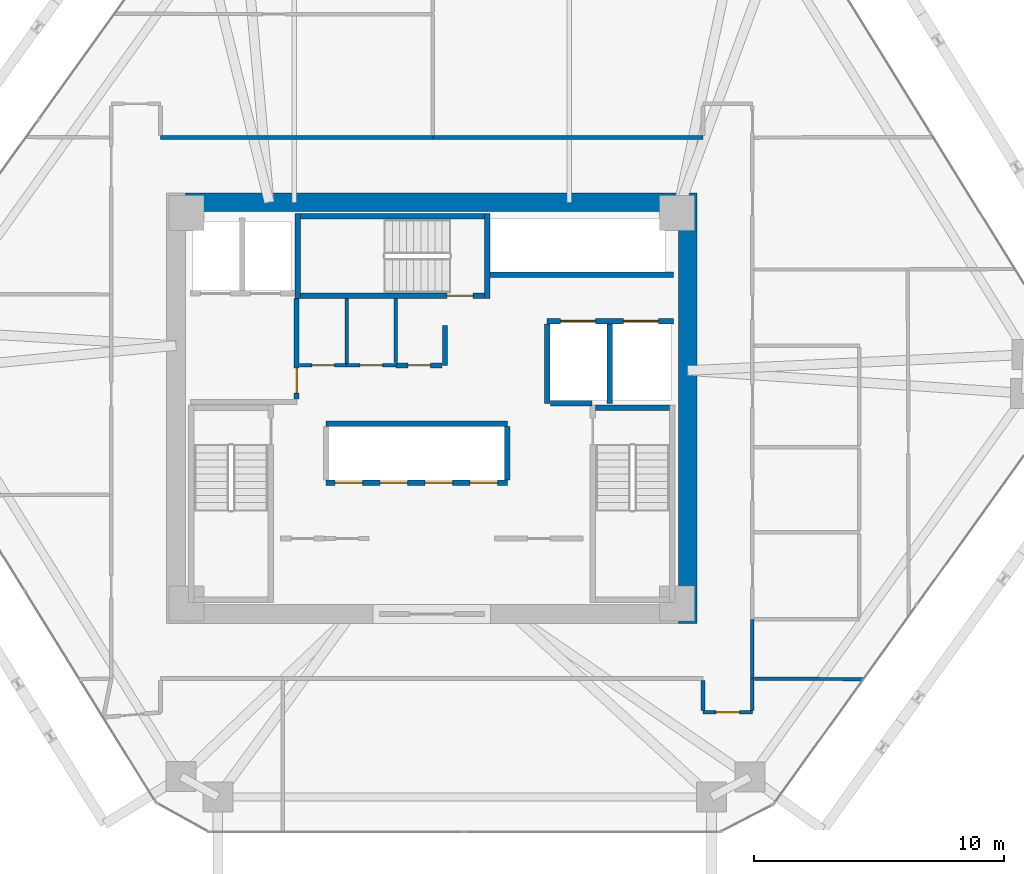
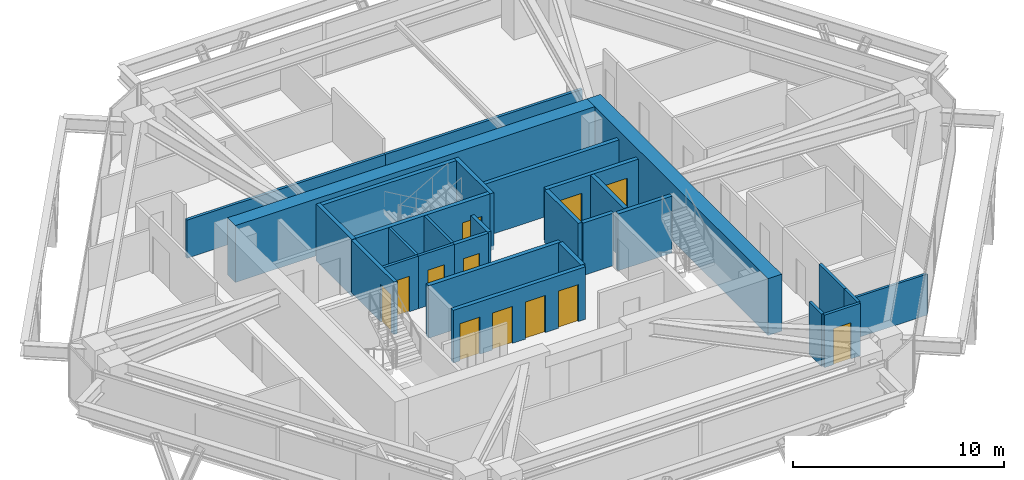
# One storey, part 11 of 13: 29 walls, 12 doors, 12 openings.
"""IFC4 building model written with IfcOpenShell, lengths in metres."""

from ifc_helpers import new_model, si_unit, direction, frame, frame_2d, origin, place, context, subcontext, project, spatial, rectangle, extrude, source, transform, mapped, material, layer, layer_set, type_object, type_shapes, element, fill, save


model = new_model("IFC4")

# Units and contexts
model_context = context("Model", 3, precision=1e-05, world=origin(), true_north=direction((0.0, 1.0)))
body_context = subcontext(model_context, "Body", "Model", "MODEL_VIEW")
ifc_project = project(units=[si_unit("LENGTHUNIT", "METRE"), si_unit("AREAUNIT", "SQUARE_METRE"), si_unit("VOLUMEUNIT", "CUBIC_METRE"), si_unit("PLANEANGLEUNIT", "RADIAN"), si_unit("MASSUNIT", "GRAM", prefix="KILO")], contexts=[model_context])

# Site, building, storey
site_placement = place(None, origin())
site = spatial("IfcSite", under=ifc_project, at=site_placement, CompositionType="ELEMENT")
building_placement = place(site_placement, origin())
building = spatial("IfcBuilding", under=site, at=building_placement, Name="Durnholm Broadcast Tower", CompositionType="ELEMENT")
storey_placement = place(building_placement, frame((0.0, 0.0, 133.800048828125)))
storey = spatial("IfcBuildingStorey", under=building, at=storey_placement, Name="L36", CompositionType="ELEMENT", Elevation=133.800048828125)

# Walls
ifc_material_1 = material(Name="Concrete C70/85", Category="concrete")
ifc_layer_1 = layer(ifc_material_1, 0.75)
ifc_layer_set_1 = layer_set([ifc_layer_1], Name="Concrete C70/85")
wall_type_1 = type_object("IfcWallType", Name="WALL-CW-750", PredefinedType="SHEAR", material=ifc_layer_set_1)
wall_1_placement = place(storey_placement, frame((10.22509765625, -8.60009765625, 0.0), z_axis=(0.0, 0.0, 1.0), x_axis=(0.0, 1.0, 0.0)))
element("IfcWall", 1, at=wall_1_placement, inside=storey, type_object=wall_type_1, Name="L36 central core shear wall CW-EAST", PredefinedType="SHEAR", context=body_context, shape_type="SweptSolid", body=[
    extrude(rectangle(XDim=17.2001953125, YDim=0.75, at=frame_2d((8.60009765625, 0.0))), origin(), (0.0, 0.0, 1.0), 3.300048828125),
])
wall_2_placement = place(storey_placement, frame((-9.85009765625, 8.22509765625, 0.0), z_axis=(0.0, 0.0, 1.0), x_axis=(1.0, 0.0, 0.0)))
element("IfcWall", 2, at=wall_2_placement, inside=storey, type_object=wall_type_1, Name="L36 central core shear wall CW-N", PredefinedType="SHEAR", context=body_context, shape_type="SweptSolid", body=[
    extrude(rectangle(XDim=19.7001953125, YDim=0.75, at=frame_2d((9.85009765625, 0.0))), origin(), (0.0, 0.0, 1.0), 3.300048828125),
])

# Wall, opening, door
ifc_material_2 = material(Name="Fire-Rated Gypsum Shaftwall", Category="concrete")
ifc_layer_2 = layer(ifc_material_2, 0.199951171875)
ifc_layer_set_2 = layer_set([ifc_layer_2], Name="Fire-Rated Gypsum Shaftwall")
wall_type_2 = type_object("IfcWallType", Name="WALL-LOB-200", PredefinedType="SOLIDWALL", material=ifc_layer_set_2)
wall_3_placement = place(storey_placement, frame((-5.39990234375, 0.35400390625, 0.0), z_axis=(0.0, 0.0, 1.0), x_axis=(0.0, 1.0, 0.0)))
wall_3 = element("IfcWall", 3, at=wall_3_placement, inside=storey, type_object=wall_type_2, Name="L36 Fire Service Access Elevator lobby east fire wall", PredefinedType="SOLIDWALL", context=body_context, shape_type="SweptSolid", body=[
    extrude(rectangle(XDim=4.02587890625, YDim=0.199951171875, at=frame_2d((2.012939453125, 0.0))), origin(), (0.0, 0.0, 1.0), 3.044921875),
])
opening_1_placement = place(wall_3_placement, frame((0.24609375, 0.0, 0.0)))
opening_1 = element("IfcOpeningElement", 4, at=opening_1_placement, cuts=wall_3, Name="Opening DL-60L", PredefinedType="OPENING", context=body_context, shape_type="SweptSolid", body=[
    extrude(rectangle(XDim=1.0, YDim=2.14990234375, at=frame_2d((0.5, 1.074951171875))), frame((0.0, 0.10986328125, 0.0), z_axis=(0.0, -1.0, 0.0), x_axis=(1.0, 0.0, 0.0)), (0.0, 0.0, 1.0), 0.219970703125),
])
ifc_material_3 = material(Name="Fire-Rated Timber/Steel Door", Category="steel")
ifc_layer_3 = layer(ifc_material_3, 0.050048828125)
ifc_layer_set_3 = layer_set([ifc_layer_3], Name="Fire-Rated Timber/Steel Door")
door_type_1 = type_object("IfcDoorType", Name="DOOR-LOB-FD60-L", OperationType="NOTDEFINED", PredefinedType="DOOR", material=ifc_layer_set_3)
shared_shape_1 = source(origin(), body_context, "Body", "SweptSolid", [
    extrude(rectangle(XDim=1.0, YDim=2.14990234375, at=frame_2d((0.5, 1.074951171875))), frame((0.0, 0.02490234375, 0.0), z_axis=(0.0, -1.0, 0.0), x_axis=(1.0, 0.0, 0.0)), (0.0, 0.0, 1.0), 0.050048828125),
])
type_shapes(door_type_1, [shared_shape_1])
door_1_placement = place(opening_1_placement, origin())
door_1 = element("IfcDoor", 5, at=door_1_placement, inside=storey, type_object=door_type_1, Name="L36 Fire Service Access Elevator lobby smoke door", OperationType="SINGLE_SWING_LEFT", OverallHeight=2.14990234375, OverallWidth=1.0, PredefinedType="DOOR", context=body_context, shape_type="MappedRepresentation", body=[
    mapped(shared_shape_1, transform((0.0, 0.0, 0.0), x_axis=(1.0, 0.0, 0.0), y_axis=(0.0, 1.0, 0.0), z_axis=(0.0, 0.0, 1.0), scale=1.0)),
])
fill(opening_1, door_1)

# Wall
wall_4_placement = place(storey_placement, frame((0.52001953125, 3.300048828125, 0.0), z_axis=(0.0, 0.0, 1.0), x_axis=(0.0, -1.0, 0.0)))
element("IfcWall", 6, at=wall_4_placement, inside=storey, type_object=wall_type_2, Name="L36 Core Telecom Patch Room corridor partition", PredefinedType="SOLIDWALL", context=body_context, shape_type="SweptSolid", body=[
    extrude(rectangle(XDim=1.590087890625, YDim=0.199951171875, at=frame_2d((0.794921875, 0.0))), origin(), (0.0, 0.0, 1.0), 3.044921875),
])

# Wall, opening, door
wall_5_placement = place(storey_placement, frame((0.416015625, 1.7099609375, 0.0), z_axis=(0.0, 0.0, 1.0), x_axis=(-1.0, 0.0, 0.0)))
wall_5 = element("IfcWall", 7, at=wall_5_placement, inside=storey, type_object=wall_type_2, Name="L36 Core Telecom Patch Room corridor partition", PredefinedType="SOLIDWALL", context=body_context, shape_type="SweptSolid", body=[
    extrude(rectangle(XDim=1.85595703125, YDim=0.199951171875, at=frame_2d((0.927978515625, 0.0))), origin(), (0.0, 0.0, 1.0), 3.044921875),
])
opening_2_placement = place(wall_5_placement, frame((0.47802734375, 0.0, 0.0)))
opening_2 = element("IfcOpeningElement", 8, at=opening_2_placement, cuts=wall_5, Name="Opening DC-60R", PredefinedType="OPENING", context=body_context, shape_type="SweptSolid", body=[
    extrude(rectangle(XDim=0.89990234375, YDim=2.050048828125, at=frame_2d((0.449951171875, 1.02490234375))), frame((0.0, 0.10986328125, 0.0), z_axis=(0.0, -1.0, 0.0), x_axis=(1.0, 0.0, 0.0)), (0.0, 0.0, 1.0), 0.219970703125),
])
ifc_material_4 = material(Name="Fire-Rated Core Service Door", Category="steel")
ifc_layer_4 = layer(ifc_material_4, 0.050048828125)
ifc_layer_set_4 = layer_set([ifc_layer_4], Name="Fire-Rated Core Service Door")
door_type_2 = type_object("IfcDoorType", Name="DOOR-CORE-FD60-R", OperationType="NOTDEFINED", PredefinedType="DOOR", material=ifc_layer_set_4)
shared_shape_2 = source(origin(), body_context, "Body", "SweptSolid", [
    extrude(rectangle(XDim=0.89990234375, YDim=2.050048828125, at=frame_2d((0.449951171875, 1.02490234375))), frame((0.0, 0.02490234375, 0.0), z_axis=(0.0, -1.0, 0.0), x_axis=(1.0, 0.0, 0.0)), (0.0, 0.0, 1.0), 0.050048828125),
])
type_shapes(door_type_2, [shared_shape_2])
door_2_placement = place(opening_2_placement, origin())
door_2 = element("IfcDoor", 9, at=door_2_placement, inside=storey, type_object=door_type_2, Name="L36 Core Telecom Patch Room entrance door", OperationType="SINGLE_SWING_RIGHT", OverallHeight=2.050048828125, OverallWidth=0.89990234375, PredefinedType="DOOR", context=body_context, shape_type="MappedRepresentation", body=[
    mapped(shared_shape_2, transform((0.0, 0.0, 0.0), x_axis=(1.0, 0.0, 0.0), y_axis=(0.0, 1.0, 0.0), z_axis=(0.0, 0.0, 1.0), scale=1.0)),
])
fill(opening_2, door_2)

# Walls
ifc_material_5 = material(Name="Gypsum Metal Stud Partition", Category="concrete")
ifc_layer_5 = layer(ifc_material_5, 0.135009765625)
ifc_layer_set_5 = layer_set([ifc_layer_5], Name="Gypsum Metal Stud Partition")
wall_type_3 = type_object("IfcWallType", Name="WALL-PART-135", PredefinedType="PARTITIONING", material=ifc_layer_set_5)
wall_6_placement = place(storey_placement, frame((-3.39990234375, 4.375, 0.0), z_axis=(0.0, 0.0, 1.0), x_axis=(0.0, -1.0, 0.0)))
element("IfcWall", 10, at=wall_6_placement, inside=storey, type_object=wall_type_3, Name="L36 room dividing partition 4.5", PredefinedType="PARTITIONING", context=body_context, shape_type="SweptSolid", body=[
    extrude(rectangle(XDim=2.5859375, YDim=0.135009765625, at=frame_2d((1.29296875, 0.0))), origin(), (0.0, 0.0, 1.0), 3.044921875),
])
wall_7_placement = place(storey_placement, frame((-1.43994140625, 4.375, 0.0), z_axis=(0.0, 0.0, 1.0), x_axis=(0.0, -1.0, 0.0)))
element("IfcWall", 11, at=wall_7_placement, inside=storey, type_object=wall_type_3, Name="L36 room dividing partition 5.6", PredefinedType="PARTITIONING", context=body_context, shape_type="SweptSolid", body=[
    extrude(rectangle(XDim=2.56103515625, YDim=0.135009765625, at=frame_2d((1.280517578125, 0.0))), origin(), (0.0, 0.0, 1.0), 3.044921875),
])
wall_8_placement = place(storey_placement, frame((12.888916015625, -10.810302734375, 0.0), z_axis=(0.0, 0.0, 1.0), x_axis=(0.999986140562, -0.005264853658, 0.0)))
element("IfcWall", 12, at=wall_8_placement, inside=storey, type_object=wall_type_3, Name="L36 room dividing partition 14.18", PredefinedType="PARTITIONING", context=body_context, shape_type="SweptSolid", body=[
    extrude(rectangle(XDim=4.35888671875, YDim=0.135009765625, at=frame_2d((2.179443359375, 0.0))), origin(), (0.0, 0.0, 1.0), 2.3798828125),
])

# Wall, opening, door
ifc_material_6 = material(Name="Acoustic Gypsum Stud Partition", Category="concrete")
ifc_layer_6 = layer(ifc_material_6, 0.14990234375)
ifc_layer_set_6 = layer_set([ifc_layer_6], Name="Acoustic Gypsum Stud Partition")
wall_type_4 = type_object("IfcWallType", Name="WALL-PART-150", PredefinedType="PARTITIONING", material=ifc_layer_set_6)
wall_9_placement = place(storey_placement, frame((-3.39990234375, 1.7099609375, 0.0), z_axis=(0.0, 0.0, 1.0), x_axis=(-1.0, 0.0, 0.0)))
wall_9 = element("IfcWall", 13, at=wall_9_placement, inside=storey, type_object=wall_type_4, Name="L36 Core Copy and Print Closet corridor partition", PredefinedType="PARTITIONING", context=body_context, shape_type="SweptSolid", body=[
    extrude(rectangle(XDim=1.89599609375, YDim=0.14990234375, at=frame_2d((0.947998046875, 0.0))), origin(), (0.0, 0.0, 1.0), 3.044921875),
])
opening_3_placement = place(wall_9_placement, frame((0.498046875, 0.0, 0.0)))
opening_3 = element("IfcOpeningElement", 14, at=opening_3_placement, cuts=wall_9, Name="Opening DC-60R", PredefinedType="OPENING", context=body_context, shape_type="SweptSolid", body=[
    extrude(rectangle(XDim=0.89990234375, YDim=2.050048828125, at=frame_2d((0.449951171875, 1.02490234375))), frame((0.0, 0.0849609375, 0.0), z_axis=(0.0, -1.0, 0.0), x_axis=(1.0, 0.0, 0.0)), (0.0, 0.0, 1.0), 0.169921875),
])
door_3_placement = place(opening_3_placement, origin())
door_3 = element("IfcDoor", 15, at=door_3_placement, inside=storey, type_object=door_type_2, Name="L36 Core Copy and Print Closet entrance door", OperationType="SINGLE_SWING_RIGHT", OverallHeight=2.050048828125, OverallWidth=0.89990234375, PredefinedType="DOOR", context=body_context, shape_type="MappedRepresentation", body=[
    mapped(shared_shape_2, transform((0.0, 0.0, 0.0), x_axis=(1.0, 0.0, 0.0), y_axis=(0.0, 1.0, 0.0), z_axis=(0.0, 0.0, 1.0), scale=1.0)),
])
fill(opening_3, door_3)

wall_10_placement = place(storey_placement, frame((-1.43994140625, 1.7099609375, 0.0), z_axis=(0.0, 0.0, 1.0), x_axis=(-1.0, 0.0, 0.0)))
wall_10 = element("IfcWall", 16, at=wall_10_placement, inside=storey, type_object=wall_type_4, Name="L36 Core Janitor Supply Closet corridor partition", PredefinedType="PARTITIONING", context=body_context, shape_type="SweptSolid", body=[
    extrude(rectangle(XDim=1.9599609375, YDim=0.14990234375, at=frame_2d((0.97998046875, 0.0))), origin(), (0.0, 0.0, 1.0), 3.044921875),
])
opening_4_placement = place(wall_10_placement, frame((0.530029296875, 0.0, 0.0)))
opening_4 = element("IfcOpeningElement", 17, at=opening_4_placement, cuts=wall_10, Name="Opening DC-60L", PredefinedType="OPENING", context=body_context, shape_type="SweptSolid", body=[
    extrude(rectangle(XDim=0.89990234375, YDim=2.050048828125, at=frame_2d((0.449951171875, 1.02490234375))), frame((0.0, 0.0849609375, 0.0), z_axis=(0.0, -1.0, 0.0), x_axis=(1.0, 0.0, 0.0)), (0.0, 0.0, 1.0), 0.169921875),
])
ifc_layer_7 = layer(ifc_material_4, 0.050048828125)
ifc_layer_set_7 = layer_set([ifc_layer_7], Name="Fire-Rated Core Service Door")
door_type_3 = type_object("IfcDoorType", Name="DOOR-CORE-FD60-L", OperationType="NOTDEFINED", PredefinedType="DOOR", material=ifc_layer_set_7)
shared_shape_3 = source(origin(), body_context, "Body", "SweptSolid", [
    extrude(rectangle(XDim=0.89990234375, YDim=2.050048828125, at=frame_2d((0.449951171875, 1.02490234375))), frame((0.0, 0.02490234375, 0.0), z_axis=(0.0, -1.0, 0.0), x_axis=(1.0, 0.0, 0.0)), (0.0, 0.0, 1.0), 0.050048828125),
])
type_shapes(door_type_3, [shared_shape_3])
door_4_placement = place(opening_4_placement, origin())
door_4 = element("IfcDoor", 18, at=door_4_placement, inside=storey, type_object=door_type_3, Name="L36 Core Janitor Supply Closet entrance door", OperationType="SINGLE_SWING_LEFT", OverallHeight=2.050048828125, OverallWidth=0.89990234375, PredefinedType="DOOR", context=body_context, shape_type="MappedRepresentation", body=[
    mapped(shared_shape_3, transform((0.0, 0.0, 0.0), x_axis=(1.0, 0.0, 0.0), y_axis=(0.0, 1.0, 0.0), z_axis=(0.0, 0.0, 1.0), scale=1.0)),
])
fill(opening_4, door_4)

# Walls
wall_11_placement = place(storey_placement, frame((0.0400390625, 10.81005859375, 0.0), z_axis=(0.0, 0.0, 1.0), x_axis=(-1.0, 0.0, 0.0)))
element("IfcWall", 19, at=wall_11_placement, inside=storey, type_object=wall_type_4, Name="L36 Interactive Media Hall corridor partition", PredefinedType="PARTITIONING", context=body_context, shape_type="SweptSolid", body=[
    extrude(rectangle(XDim=10.880126953125, YDim=0.14990234375, at=frame_2d((5.43994140625, 0.0))), origin(), (0.0, 0.0, 1.0), 2.212158203125),
])
wall_12_placement = place(storey_placement, frame((10.840087890625, 10.81005859375, 0.0), z_axis=(0.0, 0.0, 1.0), x_axis=(-1.0, 0.0, 0.0)))
element("IfcWall", 20, at=wall_12_placement, inside=storey, type_object=wall_type_4, Name="L36 Realtime Graphics Lounge corridor partition", PredefinedType="PARTITIONING", context=body_context, shape_type="SweptSolid", body=[
    extrude(rectangle(XDim=10.800048828125, YDim=0.14990234375, at=frame_2d((5.39990234375, 0.0))), origin(), (0.0, 0.0, 1.0), 2.212158203125),
])

# Wall, opening, door
wall_13_placement = place(storey_placement, frame((10.840087890625, -12.159912109375, 0.0), z_axis=(0.0, 0.0, 1.0), x_axis=(1.0, 0.0, 0.0)))
wall_13 = element("IfcWall", 21, at=wall_13_placement, inside=storey, type_object=wall_type_4, Name="L36 Studio Kitchen corridor partition", PredefinedType="PARTITIONING", context=body_context, shape_type="SweptSolid", body=[
    extrude(rectangle(XDim=1.969970703125, YDim=0.14990234375, at=frame_2d((0.98486328125, 0.0))), origin(), (0.0, 0.0, 1.0), 3.044921875),
])
opening_5_placement = place(wall_13_placement, frame((0.510009765625, 0.0, 0.0)))
opening_5 = element("IfcOpeningElement", 22, at=opening_5_placement, cuts=wall_13, Name="Opening DR-95L", PredefinedType="OPENING", context=body_context, shape_type="SweptSolid", body=[
    extrude(rectangle(XDim=0.949951171875, YDim=2.10009765625, at=frame_2d((0.47509765625, 1.050048828125))), frame((0.0, 0.0849609375, 0.0), z_axis=(0.0, -1.0, 0.0), x_axis=(1.0, 0.0, 0.0)), (0.0, 0.0, 1.0), 0.169921875),
])
ifc_material_7 = material(Name="Acoustic Oak Veneer Timber Door", Category="wood")
ifc_layer_8 = layer(ifc_material_7, 0.050048828125)
ifc_layer_set_8 = layer_set([ifc_layer_8], Name="Acoustic Oak Veneer Timber Door")
door_type_4 = type_object("IfcDoorType", Name="DOOR-RM-950L", OperationType="NOTDEFINED", PredefinedType="DOOR", material=ifc_layer_set_8)
shared_shape_4 = source(origin(), body_context, "Body", "SweptSolid", [
    extrude(rectangle(XDim=0.949951171875, YDim=2.10009765625, at=frame_2d((0.47509765625, 1.050048828125))), frame((0.0, 0.02490234375, 0.0), z_axis=(0.0, -1.0, 0.0), x_axis=(1.0, 0.0, 0.0)), (0.0, 0.0, 1.0), 0.050048828125),
])
type_shapes(door_type_4, [shared_shape_4])
door_5_placement = place(opening_5_placement, origin())
door_5 = element("IfcDoor", 23, at=door_5_placement, inside=storey, type_object=door_type_4, Name="L36 Studio Kitchen entrance door", OperationType="SINGLE_SWING_LEFT", OverallHeight=2.10009765625, OverallWidth=0.949951171875, PredefinedType="DOOR", context=body_context, shape_type="MappedRepresentation", body=[
    mapped(shared_shape_4, transform((0.0, 0.0, 0.0), x_axis=(1.0, 0.0, 0.0), y_axis=(0.0, 1.0, 0.0), z_axis=(0.0, 0.0, 1.0), scale=1.0)),
])
fill(opening_5, door_5)

# Walls
wall_14_placement = place(storey_placement, frame((10.840087890625, -10.888916015625, 0.0), z_axis=(0.0, 0.0, 1.0), x_axis=(0.0, -1.0, 0.0)))
element("IfcWall", 24, at=wall_14_placement, inside=storey, type_object=wall_type_4, Name="L36 Studio Kitchen corridor partition", PredefinedType="PARTITIONING", context=body_context, shape_type="SweptSolid", body=[
    extrude(rectangle(XDim=1.192138671875, YDim=0.14990234375, at=frame_2d((0.59619140625, 0.0))), origin(), (0.0, 0.0, 1.0), 3.044921875),
])
wall_15_placement = place(storey_placement, frame((12.81005859375, -12.0810546875, 0.0), z_axis=(0.0, 0.0, 1.0), x_axis=(0.0, 1.0, 0.0)))
element("IfcWall", 25, at=wall_15_placement, inside=storey, type_object=wall_type_4, Name="L36 Studio Kitchen corridor partition", PredefinedType="PARTITIONING", context=body_context, shape_type="SweptSolid", body=[
    extrude(rectangle(XDim=1.27099609375, YDim=0.14990234375, at=frame_2d((0.635498046875, 0.0))), origin(), (0.0, 0.0, 1.0), 3.044921875),
])
wall_16_placement = place(storey_placement, frame((12.81005859375, -10.81005859375, 0.0), z_axis=(0.0, 0.0, 1.0), x_axis=(0.0, 1.0, 0.0)))
element("IfcWall", 26, at=wall_16_placement, inside=storey, type_object=wall_type_4, Name="L36 Realtime Graphics Lounge corridor partition", PredefinedType="PARTITIONING", context=body_context, shape_type="SweptSolid", body=[
    extrude(rectangle(XDim=2.3701171875, YDim=0.14990234375, at=frame_2d((1.18505859375, 0.0))), origin(), (0.0, 0.0, 1.0), 3.044921875),
])

# Wall, openings, doors
ifc_material_8 = material(Name="Concrete Blockwork C30/37", Category="masonry")
ifc_layer_9 = layer(ifc_material_8, 0.219970703125)
ifc_layer_set_9 = layer_set([ifc_layer_9], Name="Concrete Blockwork C30/37")
wall_type_5 = type_object("IfcWallType", Name="WALL-SHAFT-220", PredefinedType="SOLIDWALL", material=ifc_layer_set_9)
wall_17_placement = place(storey_placement, frame((4.60009765625, 3.47998046875, 0.0), z_axis=(0.0, 0.0, 1.0), x_axis=(1.0, 0.0, 0.0)))
wall_17 = element("IfcWall", 27, at=wall_17_placement, inside=storey, type_object=wall_type_5, Name="L36 freight service lifts north front wall", PredefinedType="SOLIDWALL", context=body_context, shape_type="SweptSolid", body=[
    extrude(rectangle(XDim=5.0498046875, YDim=0.219970703125, at=frame_2d((2.52490234375, 0.0))), origin(), (0.0, 0.0, 1.0), 3.044921875),
])
opening_6_placement = place(wall_17_placement, frame((0.550048828125, 0.0, 0.0)))
opening_6 = element("IfcOpeningElement", 28, at=opening_6_placement, cuts=wall_17, Name="Opening LD-SVL-2", PredefinedType="OPENING", context=body_context, shape_type="SweptSolid", body=[
    extrude(rectangle(XDim=1.39990234375, YDim=2.14990234375, at=frame_2d((0.699951171875, 1.074951171875))), frame((0.0, 0.1201171875, 0.0), z_axis=(0.0, -1.0, 0.0), x_axis=(1.0, 0.0, 0.0)), (0.0, 0.0, 1.0), 0.239990234375),
])
opening_7_placement = place(wall_17_placement, frame((3.050048828125, 0.0, 0.0)))
opening_7 = element("IfcOpeningElement", 29, at=opening_7_placement, cuts=wall_17, Name="Opening LD-SVL-1", PredefinedType="OPENING", context=body_context, shape_type="SweptSolid", body=[
    extrude(rectangle(XDim=1.39990234375, YDim=2.14990234375, at=frame_2d((0.699951171875, 1.074951171875))), frame((0.0, 0.1201171875, 0.0), z_axis=(0.0, -1.0, 0.0), x_axis=(1.0, 0.0, 0.0)), (0.0, 0.0, 1.0), 0.239990234375),
])
ifc_material_9 = material(Name="Freight Elevator Bi-Parting Sliding Landing Door", Category="steel")
ifc_layer_10 = layer(ifc_material_9, 0.050048828125)
ifc_layer_set_10 = layer_set([ifc_layer_10], Name="Freight Elevator Bi-Parting Sliding Landing Door")
door_type_5 = type_object("IfcDoorType", Name="DOOR-LIFT-SVL", OperationType="DOUBLE_DOOR_SLIDING", PredefinedType="DOOR", material=ifc_layer_set_10)
shared_shape_5 = source(origin(), body_context, "Body", "SweptSolid", [
    extrude(rectangle(XDim=1.39990234375, YDim=2.14990234375, at=frame_2d((0.699951171875, 1.074951171875))), frame((0.0, 0.02490234375, 0.0), z_axis=(0.0, -1.0, 0.0), x_axis=(1.0, 0.0, 0.0)), (0.0, 0.0, 1.0), 0.050048828125),
])
type_shapes(door_type_5, [shared_shape_5])
door_6_placement = place(opening_6_placement, origin())
door_6 = element("IfcDoor", 30, at=door_6_placement, inside=storey, type_object=door_type_5, Name="L36 freight service elevator SVL-2 sliding landing door", OperationType="DOUBLE_DOOR_SLIDING", OverallHeight=2.14990234375, OverallWidth=1.39990234375, PredefinedType="DOOR", context=body_context, shape_type="MappedRepresentation", body=[
    mapped(shared_shape_5, transform((0.0, 0.0, 0.0), x_axis=(1.0, 0.0, 0.0), y_axis=(0.0, 1.0, 0.0), z_axis=(0.0, 0.0, 1.0), scale=1.0)),
])
fill(opening_6, door_6)
door_7_placement = place(opening_7_placement, origin())
door_7 = element("IfcDoor", 31, at=door_7_placement, inside=storey, type_object=door_type_5, Name="L36 freight service elevator SVL-1 sliding landing door", OperationType="DOUBLE_DOOR_SLIDING", OverallHeight=2.14990234375, OverallWidth=1.39990234375, PredefinedType="DOOR", context=body_context, shape_type="MappedRepresentation", body=[
    mapped(shared_shape_5, transform((0.0, 0.0, 0.0), x_axis=(1.0, 0.0, 0.0), y_axis=(0.0, 1.0, 0.0), z_axis=(0.0, 0.0, 1.0), scale=1.0)),
])
fill(opening_7, door_7)

# Walls
for number, where, z_axis, x_axis, name in (
    (32, (4.6201171875, 0.179931640625, 0.0), (0.0, 0.0, 1.0), (0.0, 1.0, 0.0), "L36 freight service lift SVL-2 west wall"),
    (33, (7.1201171875, 0.179931640625, 0.0), (0.0, 0.0, 1.0), (0.0, 1.0, 0.0), "L36 freight service lifts divider wall"),
):
    element("IfcWall", number, at=place(storey_placement, frame(where, z_axis=z_axis, x_axis=x_axis)), inside=storey, type_object=wall_type_5, Name=name, PredefinedType="SOLIDWALL", context=body_context, shape_type="SweptSolid", body=[
        extrude(rectangle(XDim=3.18603515625, YDim=0.219970703125, at=frame_2d((1.593017578125, 0.0))), origin(), (0.0, 0.0, 1.0), 3.044921875),
    ])
wall_18_placement = place(storey_placement, frame((4.73388671875, 0.199951171875, 0.0), z_axis=(0.0, 0.0, 1.0), x_axis=(1.0, 0.0, 0.0)))
element("IfcWall", 34, at=wall_18_placement, inside=storey, type_object=wall_type_5, Name="L36 freight service lift SVL-2 south wall", PredefinedType="SOLIDWALL", context=body_context, shape_type="SweptSolid", body=[
    extrude(rectangle(XDim=1.666015625, YDim=0.219970703125, at=frame_2d((0.8330078125, 0.0))), origin(), (0.0, 0.0, 1.0), 3.044921875),
])

# Wall, openings, doors
wall_19_placement = place(storey_placement, frame((-4.219970703125, -2.97998046875, 0.0), z_axis=(0.0, 0.0, 1.0), x_axis=(1.0, 0.0, 0.0)))
wall_19 = element("IfcWall", 35, at=wall_19_placement, inside=storey, type_object=wall_type_5, Name="L36 mid-rise bank P2 south front wall", PredefinedType="SOLIDWALL", context=body_context, shape_type="SweptSolid", body=[
    extrude(rectangle(XDim=7.239990234375, YDim=0.219970703125, at=frame_2d((3.6201171875, 0.0))), origin(), (0.0, 0.0, 1.0), 3.044921875),
])
opening_8_placement = place(wall_19_placement, frame((0.35009765625, 0.0, 0.0)))
opening_8 = element("IfcOpeningElement", 36, at=opening_8_placement, cuts=wall_19, Name="Opening LD-LP2-1", PredefinedType="OPENING", context=body_context, shape_type="SweptSolid", body=[
    extrude(rectangle(XDim=1.10009765625, YDim=2.14990234375, at=frame_2d((0.550048828125, 1.074951171875))), frame((0.0, 0.1201171875, 0.0), z_axis=(0.0, -1.0, 0.0), x_axis=(1.0, 0.0, 0.0)), (0.0, 0.0, 1.0), 0.239990234375),
])
opening_9_placement = place(wall_19_placement, frame((2.14990234375, 0.0, 0.0)))
opening_9 = element("IfcOpeningElement", 37, at=opening_9_placement, cuts=wall_19, Name="Opening LD-LP2-2", PredefinedType="OPENING", context=body_context, shape_type="SweptSolid", body=[
    extrude(rectangle(XDim=1.10009765625, YDim=2.14990234375, at=frame_2d((0.550048828125, 1.074951171875))), frame((0.0, 0.1201171875, 0.0), z_axis=(0.0, -1.0, 0.0), x_axis=(1.0, 0.0, 0.0)), (0.0, 0.0, 1.0), 0.239990234375),
])
opening_10_placement = place(wall_19_placement, frame((3.949951171875, 0.0, 0.0)))
opening_10 = element("IfcOpeningElement", 38, at=opening_10_placement, cuts=wall_19, Name="Opening LD-LP2-3", PredefinedType="OPENING", context=body_context, shape_type="SweptSolid", body=[
    extrude(rectangle(XDim=1.10009765625, YDim=2.14990234375, at=frame_2d((0.550048828125, 1.074951171875))), frame((0.0, 0.1201171875, 0.0), z_axis=(0.0, -1.0, 0.0), x_axis=(1.0, 0.0, 0.0)), (0.0, 0.0, 1.0), 0.239990234375),
])
opening_11_placement = place(wall_19_placement, frame((5.75, 0.0, 0.0)))
opening_11 = element("IfcOpeningElement", 39, at=opening_11_placement, cuts=wall_19, Name="Opening LD-LP2-4", PredefinedType="OPENING", context=body_context, shape_type="SweptSolid", body=[
    extrude(rectangle(XDim=1.10009765625, YDim=2.14990234375, at=frame_2d((0.550048828125, 1.074951171875))), frame((0.0, 0.1201171875, 0.0), z_axis=(0.0, -1.0, 0.0), x_axis=(1.0, 0.0, 0.0)), (0.0, 0.0, 1.0), 0.239990234375),
])
ifc_material_10 = material(Name="Stainless Steel Sliding Elevator Landing Door", Category="steel")
ifc_layer_11 = layer(ifc_material_10, 0.050048828125)
ifc_layer_set_11 = layer_set([ifc_layer_11], Name="Stainless Steel Sliding Elevator Landing Door")
door_type_6 = type_object("IfcDoorType", Name="DOOR-LIFT-PAX", OperationType="DOUBLE_DOOR_SLIDING", PredefinedType="DOOR", material=ifc_layer_set_11)
shared_shape_6 = source(origin(), body_context, "Body", "SweptSolid", [
    extrude(rectangle(XDim=1.10009765625, YDim=2.14990234375, at=frame_2d((0.550048828125, 1.074951171875))), frame((0.0, 0.02490234375, 0.0), z_axis=(0.0, -1.0, 0.0), x_axis=(1.0, 0.0, 0.0)), (0.0, 0.0, 1.0), 0.050048828125),
])
type_shapes(door_type_6, [shared_shape_6])
door_8_placement = place(opening_8_placement, origin())
door_8 = element("IfcDoor", 40, at=door_8_placement, inside=storey, type_object=door_type_6, Name="L36 passenger elevator LP2-1 sliding landing door", OperationType="DOUBLE_DOOR_SLIDING", OverallHeight=2.14990234375, OverallWidth=1.10009765625, PredefinedType="DOOR", context=body_context, shape_type="MappedRepresentation", body=[
    mapped(shared_shape_6, transform((0.0, 0.0, 0.0), x_axis=(1.0, 0.0, 0.0), y_axis=(0.0, 1.0, 0.0), z_axis=(0.0, 0.0, 1.0), scale=1.0)),
])
fill(opening_8, door_8)
door_9_placement = place(opening_9_placement, origin())
door_9 = element("IfcDoor", 41, at=door_9_placement, inside=storey, type_object=door_type_6, Name="L36 passenger elevator LP2-2 sliding landing door", OperationType="DOUBLE_DOOR_SLIDING", OverallHeight=2.14990234375, OverallWidth=1.10009765625, PredefinedType="DOOR", context=body_context, shape_type="MappedRepresentation", body=[
    mapped(shared_shape_6, transform((0.0, 0.0, 0.0), x_axis=(1.0, 0.0, 0.0), y_axis=(0.0, 1.0, 0.0), z_axis=(0.0, 0.0, 1.0), scale=1.0)),
])
fill(opening_9, door_9)
door_10_placement = place(opening_10_placement, origin())
door_10 = element("IfcDoor", 42, at=door_10_placement, inside=storey, type_object=door_type_6, Name="L36 passenger elevator LP2-3 sliding landing door", OperationType="DOUBLE_DOOR_SLIDING", OverallHeight=2.14990234375, OverallWidth=1.10009765625, PredefinedType="DOOR", context=body_context, shape_type="MappedRepresentation", body=[
    mapped(shared_shape_6, transform((0.0, 0.0, 0.0), x_axis=(1.0, 0.0, 0.0), y_axis=(0.0, 1.0, 0.0), z_axis=(0.0, 0.0, 1.0), scale=1.0)),
])
fill(opening_10, door_10)
door_11_placement = place(opening_11_placement, origin())
door_11 = element("IfcDoor", 43, at=door_11_placement, inside=storey, type_object=door_type_6, Name="L36 passenger elevator LP2-4 sliding landing door", OperationType="DOUBLE_DOOR_SLIDING", OverallHeight=2.14990234375, OverallWidth=1.10009765625, PredefinedType="DOOR", context=body_context, shape_type="MappedRepresentation", body=[
    mapped(shared_shape_6, transform((0.0, 0.0, 0.0), x_axis=(1.0, 0.0, 0.0), y_axis=(0.0, 1.0, 0.0), z_axis=(0.0, 0.0, 1.0), scale=1.0)),
])
fill(opening_11, door_11)

# Walls
wall_20_placement = place(storey_placement, frame((-4.219970703125, -0.6201171875, 0.0), z_axis=(0.0, 0.0, 1.0), x_axis=(1.0, 0.0, 0.0)))
element("IfcWall", 44, at=wall_20_placement, inside=storey, type_object=wall_type_5, Name="L36 mid-rise bank P2 north shaft wall", PredefinedType="SOLIDWALL", context=body_context, shape_type="SweptSolid", body=[
    extrude(rectangle(XDim=7.239990234375, YDim=0.219970703125, at=frame_2d((3.6201171875, 0.0))), origin(), (0.0, 0.0, 1.0), 3.044921875),
])
wall_21_placement = place(storey_placement, frame((3.02001953125, -2.865966796875, 0.0), z_axis=(0.0, 0.0, 1.0), x_axis=(0.0, 1.0, 0.0)))
element("IfcWall", 45, at=wall_21_placement, inside=storey, type_object=wall_type_5, Name="L36 mid-rise bank P2 east shaft wall", PredefinedType="SOLIDWALL", context=body_context, shape_type="SweptSolid", body=[
    extrude(rectangle(XDim=2.132080078125, YDim=0.219970703125, at=frame_2d((1.06591796875, 0.0))), origin(), (0.0, 0.0, 1.0), 3.044921875),
])
wall_22_placement = place(storey_placement, frame((2.324951171875, 5.320068359375, 0.0), z_axis=(0.0, 0.0, 1.0), x_axis=(1.0, 0.0, 0.0)))
element("IfcWall", 46, at=wall_22_placement, inside=storey, type_object=wall_type_5, Name="L36 high-rise bank P3 south front wall", PredefinedType="SOLIDWALL", context=body_context, shape_type="SweptSolid", body=[
    extrude(rectangle(XDim=7.324951171875, YDim=0.219970703125, at=frame_2d((3.66259765625, 0.0))), origin(), (0.0, 0.0, 1.0), 3.044921875),
])
ifc_material_11 = material(Name="Concrete C50/60", Category="concrete")
ifc_layer_12 = layer(ifc_material_11, 0.219970703125)
ifc_layer_set_12 = layer_set([ifc_layer_12], Name="Concrete C50/60")
wall_type_6 = type_object("IfcWallType", Name="WALL-SW-220", PredefinedType="SHEAR", material=ifc_layer_set_12)
wall_23_placement = place(storey_placement, frame((9.5, 0.010009765625, -0.239990234375), z_axis=(0.0, 0.0, 1.0), x_axis=(-1.0, 0.0, 0.0)))
element("IfcWall", 47, at=wall_23_placement, inside=storey, type_object=wall_type_6, Name="L36 stair ST-2 structural shaft wall N", PredefinedType="SHEAR", context=body_context, shape_type="SweptSolid", body=[
    extrude(rectangle(XDim=2.9599609375, YDim=0.219970703125, at=frame_2d((1.47998046875, 0.0))), origin(), (0.0, 0.0, 1.0), 3.300048828125),
])
for number, where, z_axis, x_axis, name in (
    (48, (2.2099609375, 4.3798828125, -0.239990234375), (0.0, 0.0, 1.0), (0.0, 1.0, 0.0), "L36 stair ST-3 structural shaft wall E"),
    (49, (-5.360107421875, 7.780029296875, -0.239990234375), (0.0, 0.0, 1.0), (0.0, -1.0, 0.0), "L36 stair ST-3 structural shaft wall W"),
):
    element("IfcWall", number, at=place(storey_placement, frame(where, z_axis=z_axis, x_axis=x_axis)), inside=storey, type_object=wall_type_6, Name=name, PredefinedType="SHEAR", context=body_context, shape_type="SweptSolid", body=[
        extrude(rectangle(XDim=3.400146484375, YDim=0.219970703125, at=frame_2d((1.7001953125, 0.0))), origin(), (0.0, 0.0, 1.0), 3.300048828125),
    ])

# Wall, opening, door
wall_24_placement = place(storey_placement, frame((-5.25, 4.489990234375, -0.239990234375), z_axis=(0.0, 0.0, 1.0), x_axis=(1.0, 0.0, 0.0)))
wall_24 = element("IfcWall", 50, at=wall_24_placement, inside=storey, type_object=wall_type_6, Name="L36 stair ST-3 structural shaft wall S", PredefinedType="SHEAR", context=body_context, shape_type="SweptSolid", body=[
    extrude(rectangle(XDim=7.35009765625, YDim=0.219970703125, at=frame_2d((3.675048828125, 0.0))), origin(), (0.0, 0.0, 1.0), 3.300048828125),
])
opening_12_placement = place(wall_24_placement, frame((5.85009765625, 0.0, 0.0)))
opening_12 = element("IfcOpeningElement", 51, at=opening_12_placement, cuts=wall_24, Name="Opening DS-90L", PredefinedType="OPENING", context=body_context, shape_type="SweptSolid", body=[
    extrude(rectangle(XDim=1.050048828125, YDim=2.14990234375, at=frame_2d((0.52490234375, 1.074951171875))), frame((0.0, 0.1201171875, 0.0), z_axis=(0.0, -1.0, 0.0), x_axis=(1.0, 0.0, 0.0)), (0.0, 0.0, 1.0), 0.239990234375),
])
ifc_material_12 = material(Name="Fire-Rated Steel Door", Category="steel")
ifc_layer_13 = layer(ifc_material_12, 0.050048828125)
ifc_layer_set_13 = layer_set([ifc_layer_13], Name="Fire-Rated Steel Door")
door_type_7 = type_object("IfcDoorType", Name="DOOR-ST-FD90-L", OperationType="NOTDEFINED", PredefinedType="DOOR", material=ifc_layer_set_13)
shared_shape_7 = source(origin(), body_context, "Body", "SweptSolid", [
    extrude(rectangle(XDim=1.050048828125, YDim=2.14990234375, at=frame_2d((0.52490234375, 1.074951171875))), frame((0.0, 0.02490234375, 0.0), z_axis=(0.0, -1.0, 0.0), x_axis=(1.0, 0.0, 0.0)), (0.0, 0.0, 1.0), 0.050048828125),
])
type_shapes(door_type_7, [shared_shape_7])
door_12_placement = place(opening_12_placement, origin())
door_12 = element("IfcDoor", 52, at=door_12_placement, inside=storey, type_object=door_type_7, Name="L36 exit stair ST-3 fire door", OperationType="SINGLE_SWING_LEFT", OverallHeight=2.14990234375, OverallWidth=1.050048828125, PredefinedType="DOOR", context=body_context, shape_type="MappedRepresentation", body=[
    mapped(shared_shape_7, transform((0.0, 0.0, 0.0), x_axis=(1.0, 0.0, 0.0), y_axis=(0.0, 1.0, 0.0), z_axis=(0.0, 0.0, 1.0), scale=1.0)),
])
fill(opening_12, door_12)

# Wall
wall_25_placement = place(storey_placement, frame((2.10009765625, 7.669921875, -0.239990234375), z_axis=(0.0, 0.0, 1.0), x_axis=(-1.0, 0.0, 0.0)))
element("IfcWall", 53, at=wall_25_placement, inside=storey, type_object=wall_type_6, Name="L36 stair ST-3 structural shaft wall N", PredefinedType="SHEAR", context=body_context, shape_type="SweptSolid", body=[
    extrude(rectangle(XDim=7.35009765625, YDim=0.219970703125, at=frame_2d((3.675048828125, 0.0))), origin(), (0.0, 0.0, 1.0), 3.300048828125),
])

save(model, "model.ifc")
